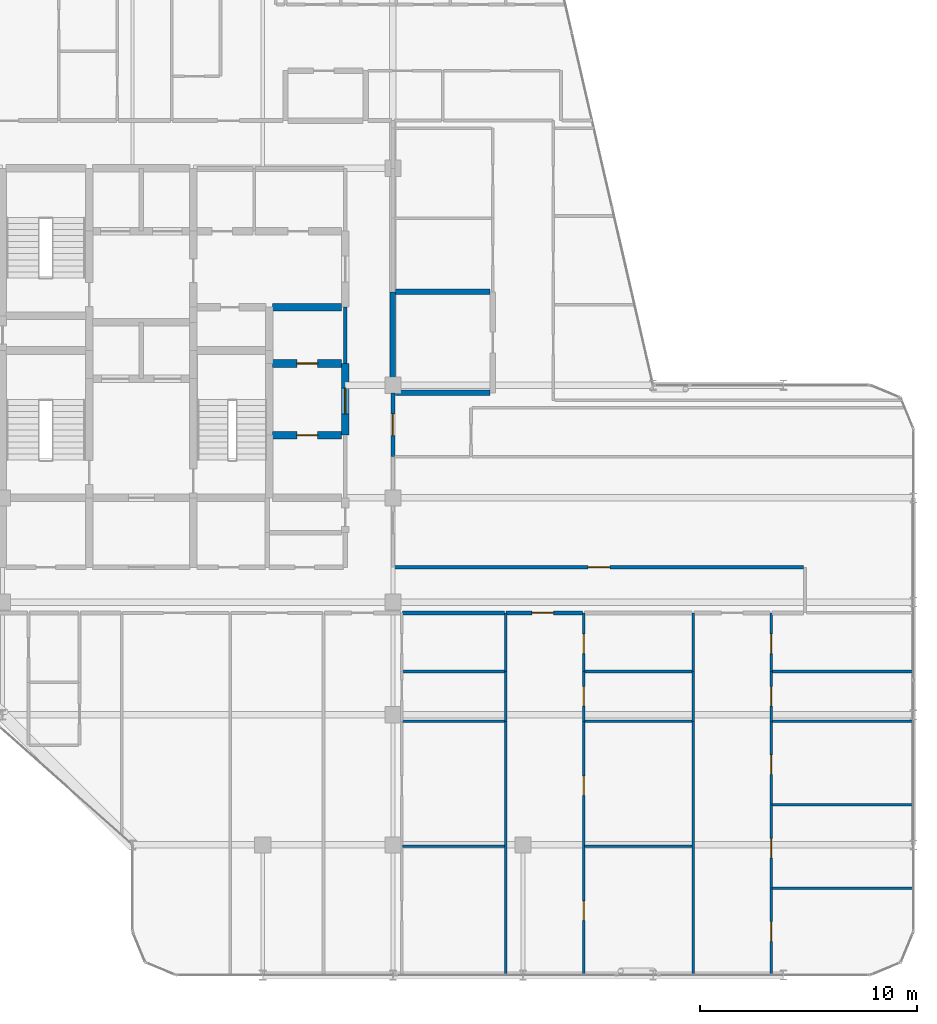
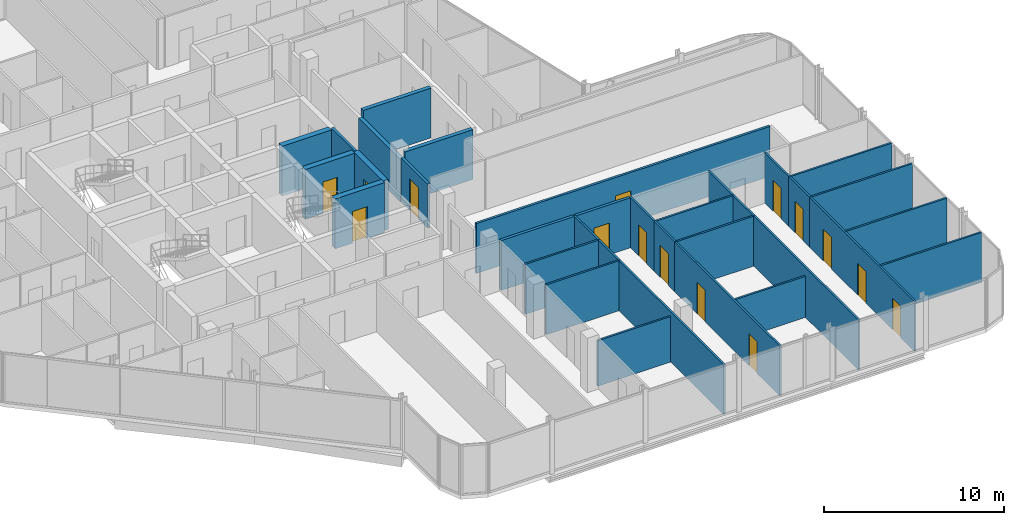
# One storey, part 25 of 29: 34 walls, 15 doors, 15 openings.
"""IFC4 building model written with IfcOpenShell, lengths in metres."""

from ifc_helpers import new_model, si_unit, direction, frame, frame_2d, origin, place, context, subcontext, project, spatial, rectangle, extrude, material, layer, layer_set, type_object, element, fill, save


model = new_model("IFC4")

# Units and contexts
model_context = context("Model", 3, precision=1e-05, world=origin(), true_north=direction((0.0, 1.0)))
body_context = subcontext(model_context, "Body", "Model", "MODEL_VIEW")
ifc_project = project(units=[si_unit("LENGTHUNIT", "METRE"), si_unit("AREAUNIT", "SQUARE_METRE"), si_unit("VOLUMEUNIT", "CUBIC_METRE"), si_unit("PLANEANGLEUNIT", "RADIAN"), si_unit("MASSUNIT", "GRAM", prefix="KILO")], contexts=[model_context])

# Site, building, storey
site_placement = place(None, origin())
site = spatial("IfcSite", under=ifc_project, at=site_placement, CompositionType="ELEMENT")
building_placement = place(site_placement, origin())
building = spatial("IfcBuilding", under=site, at=building_placement, Name="Keshet Zoharim Tower", CompositionType="ELEMENT")
storey_placement = place(building_placement, frame((0.0, 0.0, 230.199951171875)))
storey = spatial("IfcBuildingStorey", under=building, at=storey_placement, Name="L57", CompositionType="ELEMENT", Elevation=230.199951171875)

# Wall
ifc_material_1 = material(Name="Gypsum Plasterboard", Category="gypsum")
ifc_layer_1 = layer(ifc_material_1, 0.14990234375)
ifc_layer_set_1 = layer_set([ifc_layer_1], Name="Gypsum Plasterboard")
wall_type_1 = type_object("IfcWallType", Name="WL-CLIN-150", PredefinedType="STANDARD", material=ifc_layer_set_1)
wall_1_placement = place(storey_placement, frame((30.800048828125, 28.89990234375, 0.0), z_axis=(0.0, 0.0, 1.0), x_axis=(0.0, 1.0, 0.0)))
element("IfcWall", 1, at=wall_1_placement, inside=storey, type_object=wall_type_1, Name="L57 Interior Wall 060", PredefinedType="STANDARD", context=body_context, shape_type="SweptSolid", body=[
    extrude(rectangle(XDim=2.60009765625, YDim=0.14990234375, at=frame_2d((1.300048828125, 0.0))), origin(), (0.0, 0.0, 1.0), 3.39013671875),
])

# Wall, opening, door
wall_2_placement = place(storey_placement, frame((33.070068359375, 19.5, 0.0), z_axis=(0.0, 0.0, 1.0), x_axis=(1.0, 0.0, 0.0)))
wall_2 = element("IfcWall", 2, at=wall_2_placement, inside=storey, type_object=wall_type_1, Name="L57 Interior Wall 127", PredefinedType="STANDARD", context=body_context, shape_type="SweptSolid", body=[
    extrude(rectangle(XDim=18.869873046875, YDim=0.14990234375, at=frame_2d((9.43505859375, 0.0))), origin(), (0.0, 0.0, 1.0), 3.39013671875),
])
opening_1_placement = place(wall_2_placement, frame((8.93505859375, 0.0, 0.0)))
opening_1 = element("IfcOpeningElement", 3, at=opening_1_placement, cuts=wall_2, Name="Opening D-F310", PredefinedType="OPENING", context=body_context, shape_type="SweptSolid", body=[
    extrude(rectangle(XDim=1.0, YDim=2.14990234375, at=frame_2d((0.5, 1.074951171875))), frame((0.0, 0.0849609375, 0.0), z_axis=(0.0, -1.0, 0.0), x_axis=(1.0, 0.0, 0.0)), (0.0, 0.0, 1.0), 0.169921875),
])
ifc_material_2 = material(Name="Hardwood Timber", Category="wood")
door_type_1 = type_object("IfcDoorType", Name="DR-FD30-100", OperationType="NOTDEFINED", PredefinedType="DOOR", material=ifc_material_2)
door_1_placement = place(opening_1_placement, origin())
door_1 = element("IfcDoor", 4, at=door_1_placement, inside=storey, type_object=door_type_1, Name="L57 South East Residents Services Suite Door 1", OperationType="SINGLE_SWING_RIGHT", OverallHeight=2.14990234375, OverallWidth=1.0, PredefinedType="DOOR", context=body_context, shape_type="SweptSolid", body=[
    extrude(rectangle(XDim=1.0, YDim=2.14990234375, at=frame_2d((0.5, 1.074951171875))), frame((0.0, 0.02490234375, 0.0), z_axis=(0.0, -1.0, 0.0), x_axis=(1.0, 0.0, 0.0)), (0.0, 0.0, 1.0), 0.050048828125),
])
fill(opening_1, door_1)

ifc_material_3 = material(Name="Concrete C60/75", Category="concrete")
ifc_layer_2 = layer(ifc_material_3, 0.35009765625)
ifc_layer_set_2 = layer_set([ifc_layer_2], Name="Concrete C60/75")
wall_type_2 = type_object("IfcWallType", Name="WL-CORE-350", PredefinedType="SHEAR", material=ifc_layer_set_2)
wall_3_placement = place(storey_placement, frame((30.800048828125, 25.60009765625, 0.0), z_axis=(0.0, 0.0, 1.0), x_axis=(0.0, 1.0, 0.0)))
wall_3 = element("IfcWall", 5, at=wall_3_placement, inside=storey, type_object=wall_type_2, Name="L57 Core Shear Wall 059", PredefinedType="SHEAR", context=body_context, shape_type="SweptSolid", body=[
    extrude(rectangle(XDim=3.2998046875, YDim=0.35009765625, at=frame_2d((1.64990234375, 0.0))), origin(), (0.0, 0.0, 1.0), 3.39013671875),
])
opening_2_placement = place(wall_3_placement, frame((0.97802734375, 0.0, 0.0)))
opening_2 = element("IfcOpeningElement", 6, at=opening_2_placement, cuts=wall_3, Name="Opening D-F612", PredefinedType="OPENING", context=body_context, shape_type="SweptSolid", body=[
    extrude(rectangle(XDim=1.199951171875, YDim=2.199951171875, at=frame_2d((0.60009765625, 1.10009765625))), frame((0.0, 0.18505859375, 0.0), z_axis=(0.0, -1.0, 0.0), x_axis=(1.0, 0.0, 0.0)), (0.0, 0.0, 1.0), 0.3701171875),
])
door_type_2 = type_object("IfcDoorType", Name="DR-FD60-120", OperationType="NOTDEFINED", PredefinedType="DOOR", material=ifc_material_2)
door_2_placement = place(opening_2_placement, origin())
door_2 = element("IfcDoor", 7, at=door_2_placement, inside=storey, type_object=door_type_2, Name="L57 East Lift Lobby Fire Door", OperationType="SINGLE_SWING_RIGHT", OverallHeight=2.199951171875, OverallWidth=1.199951171875, PredefinedType="DOOR", context=body_context, shape_type="SweptSolid", body=[
    extrude(rectangle(XDim=1.199951171875, YDim=2.199951171875, at=frame_2d((0.60009765625, 1.10009765625))), frame((0.0, 0.02490234375, 0.0), z_axis=(0.0, -1.0, 0.0), x_axis=(1.0, 0.0, 0.0)), (0.0, 0.0, 1.0), 0.050048828125),
])
fill(opening_2, door_2)

wall_4_placement = place(storey_placement, frame((27.4599609375, 25.60009765625, 0.0), z_axis=(0.0, 0.0, 1.0), x_axis=(1.0, 0.0, 0.0)))
wall_4 = element("IfcWall", 8, at=wall_4_placement, inside=storey, type_object=wall_type_2, Name="L57 Core Shear Wall 141", PredefinedType="SHEAR", context=body_context, shape_type="SweptSolid", body=[
    extrude(rectangle(XDim=3.179931640625, YDim=0.35009765625, at=frame_2d((1.58984375, 0.0))), origin(), (0.0, 0.0, 1.0), 3.39013671875),
])
opening_3_placement = place(wall_4_placement, frame((1.114990234375, 0.0, 0.0)))
opening_3 = element("IfcOpeningElement", 9, at=opening_3_placement, cuts=wall_4, Name="Opening D-F695", PredefinedType="OPENING", context=body_context, shape_type="SweptSolid", body=[
    extrude(rectangle(XDim=0.949951171875, YDim=2.14990234375, at=frame_2d((0.47509765625, 1.074951171875))), frame((0.0, 0.18505859375, 0.0), z_axis=(0.0, -1.0, 0.0), x_axis=(1.0, 0.0, 0.0)), (0.0, 0.0, 1.0), 0.3701171875),
])
door_type_3 = type_object("IfcDoorType", Name="DR-FD60-095", OperationType="NOTDEFINED", PredefinedType="DOOR", material=ifc_material_2)
door_3_placement = place(opening_3_placement, origin())
door_3 = element("IfcDoor", 10, at=door_3_placement, inside=storey, type_object=door_type_3, Name="L57 Study Alcove Door", OperationType="SINGLE_SWING_LEFT", OverallHeight=2.14990234375, OverallWidth=0.949951171875, PredefinedType="DOOR", context=body_context, shape_type="SweptSolid", body=[
    extrude(rectangle(XDim=0.949951171875, YDim=2.14990234375, at=frame_2d((0.47509765625, 1.074951171875))), frame((0.0, 0.02490234375, 0.0), z_axis=(0.0, -1.0, 0.0), x_axis=(1.0, 0.0, 0.0)), (0.0, 0.0, 1.0), 0.050048828125),
])
fill(opening_3, door_3)

wall_5_placement = place(storey_placement, frame((27.4599609375, 28.89990234375, 0.0), z_axis=(0.0, 0.0, 1.0), x_axis=(1.0, 0.0, 0.0)))
wall_5 = element("IfcWall", 11, at=wall_5_placement, inside=storey, type_object=wall_type_2, Name="L57 Core Shear Wall 149", PredefinedType="SHEAR", context=body_context, shape_type="SweptSolid", body=[
    extrude(rectangle(XDim=3.179931640625, YDim=0.35009765625, at=frame_2d((1.58984375, 0.0))), origin(), (0.0, 0.0, 1.0), 3.39013671875),
])
opening_4_placement = place(wall_5_placement, frame((1.114990234375, 0.0, 0.0)))
opening_4 = element("IfcOpeningElement", 12, at=opening_4_placement, cuts=wall_5, Name="Opening D-F695", PredefinedType="OPENING", context=body_context, shape_type="SweptSolid", body=[
    extrude(rectangle(XDim=0.949951171875, YDim=2.14990234375, at=frame_2d((0.47509765625, 1.074951171875))), frame((0.0, 0.18505859375, 0.0), z_axis=(0.0, -1.0, 0.0), x_axis=(1.0, 0.0, 0.0)), (0.0, 0.0, 1.0), 0.3701171875),
])
door_4_placement = place(opening_4_placement, frame((0.949951171875, 0.0, 0.0), z_axis=(0.0, 0.0, 1.0), x_axis=(-1.0, 0.0, 0.0)))
door_4 = element("IfcDoor", 13, at=door_4_placement, inside=storey, type_object=door_type_3, Name="L57 Parcel Store Door", OperationType="SINGLE_SWING_LEFT", OverallHeight=2.14990234375, OverallWidth=0.949951171875, PredefinedType="DOOR", context=body_context, shape_type="SweptSolid", body=[
    extrude(rectangle(XDim=0.949951171875, YDim=2.14990234375, at=frame_2d((0.47509765625, 1.074951171875))), frame((0.0, 0.02490234375, 0.0), z_axis=(0.0, -1.0, 0.0), x_axis=(1.0, 0.0, 0.0)), (0.0, 0.0, 1.0), 0.050048828125),
])
fill(opening_4, door_4)

# Wall
wall_6_placement = place(storey_placement, frame((27.4599609375, 31.5, 0.0), z_axis=(0.0, 0.0, 1.0), x_axis=(1.0, 0.0, 0.0)))
element("IfcWall", 14, at=wall_6_placement, inside=storey, type_object=wall_type_2, Name="L57 Core Shear Wall 155", PredefinedType="SHEAR", context=body_context, shape_type="SweptSolid", body=[
    extrude(rectangle(XDim=3.179931640625, YDim=0.35009765625, at=frame_2d((1.58984375, 0.0))), origin(), (0.0, 0.0, 1.0), 3.39013671875),
])

# Wall, opening, door
ifc_layer_3 = layer(ifc_material_1, 0.179931640625)
ifc_layer_set_3 = layer_set([ifc_layer_3], Name="Gypsum Plasterboard")
wall_type_3 = type_object("IfcWallType", Name="WL-CORR-180", PredefinedType="STANDARD", material=ifc_layer_set_3)
wall_7_placement = place(storey_placement, frame((33.0, 24.60009765625, 0.0), z_axis=(0.0, 0.0, 1.0), x_axis=(0.0, 1.0, 0.0)))
wall_7 = element("IfcWall", 15, at=wall_7_placement, inside=storey, type_object=wall_type_3, Name="L57 Interior Wall 065", PredefinedType="STANDARD", context=body_context, shape_type="SweptSolid", body=[
    extrude(rectangle(XDim=2.949951171875, YDim=0.179931640625, at=frame_2d((1.47509765625, 0.0))), origin(), (0.0, 0.0, 1.0), 2.989990234375),
])
opening_5_placement = place(wall_7_placement, frame((0.97509765625, 0.0, 0.0)))
opening_5 = element("IfcOpeningElement", 16, at=opening_5_placement, cuts=wall_7, Name="Opening D-F310", PredefinedType="OPENING", context=body_context, shape_type="SweptSolid", body=[
    extrude(rectangle(XDim=1.0, YDim=2.14990234375, at=frame_2d((0.5, 1.074951171875))), frame((0.0, 0.10009765625, 0.0), z_axis=(0.0, -1.0, 0.0), x_axis=(1.0, 0.0, 0.0)), (0.0, 0.0, 1.0), 0.199951171875),
])
door_5_placement = place(opening_5_placement, origin())
door_5 = element("IfcDoor", 17, at=door_5_placement, inside=storey, type_object=door_type_1, Name="Apartment 5710 Entrance Door", OperationType="SINGLE_SWING_LEFT", OverallHeight=2.14990234375, OverallWidth=1.0, PredefinedType="DOOR", context=body_context, shape_type="SweptSolid", body=[
    extrude(rectangle(XDim=1.0, YDim=2.14990234375, at=frame_2d((0.5, 1.074951171875))), frame((0.0, 0.02490234375, 0.0), z_axis=(0.0, -1.0, 0.0), x_axis=(1.0, 0.0, 0.0)), (0.0, 0.0, 1.0), 0.050048828125),
])
fill(opening_5, door_5)

# Wall
wall_8_placement = place(storey_placement, frame((33.445068359375, 17.39990234375, 0.0), z_axis=(0.0, 0.0, 1.0), x_axis=(1.0, 0.0, 0.0)))
element("IfcWall", 18, at=wall_8_placement, inside=storey, type_object=wall_type_3, Name="L57 Interior Wall 117", PredefinedType="STANDARD", context=body_context, shape_type="SweptSolid", body=[
    extrude(rectangle(XDim=4.68994140625, YDim=0.179931640625, at=frame_2d((2.344970703125, 0.0))), origin(), (0.0, 0.0, 1.0), 3.39013671875),
])

# Wall, opening, door
wall_9_placement = place(storey_placement, frame((38.22509765625, 17.39990234375, 0.0), z_axis=(0.0, 0.0, 1.0), x_axis=(1.0, 0.0, 0.0)))
wall_9 = element("IfcWall", 19, at=wall_9_placement, inside=storey, type_object=wall_type_3, Name="L57 Interior Wall 118", PredefinedType="STANDARD", context=body_context, shape_type="SweptSolid", body=[
    extrude(rectangle(XDim=3.510009765625, YDim=0.179931640625, at=frame_2d((1.7548828125, 0.0))), origin(), (0.0, 0.0, 1.0), 3.39013671875),
])
opening_6_placement = place(wall_9_placement, frame((1.18505859375, 0.0, 0.0)))
opening_6 = element("IfcOpeningElement", 20, at=opening_6_placement, cuts=wall_9, Name="Opening D-F310", PredefinedType="OPENING", context=body_context, shape_type="SweptSolid", body=[
    extrude(rectangle(XDim=1.0, YDim=2.14990234375, at=frame_2d((0.5, 1.074951171875))), frame((0.0, 0.10009765625, 0.0), z_axis=(0.0, -1.0, 0.0), x_axis=(1.0, 0.0, 0.0)), (0.0, 0.0, 1.0), 0.199951171875),
])
door_6_placement = place(opening_6_placement, origin())
door_6 = element("IfcDoor", 21, at=door_6_placement, inside=storey, type_object=door_type_1, Name="Apartment 5703 Entrance Door", OperationType="SINGLE_SWING_RIGHT", OverallHeight=2.14990234375, OverallWidth=1.0, PredefinedType="DOOR", context=body_context, shape_type="SweptSolid", body=[
    extrude(rectangle(XDim=1.0, YDim=2.14990234375, at=frame_2d((0.5, 1.074951171875))), frame((0.0, 0.02490234375, 0.0), z_axis=(0.0, -1.0, 0.0), x_axis=(1.0, 0.0, 0.0)), (0.0, 0.0, 1.0), 0.050048828125),
])
fill(opening_6, door_6)

# Walls
ifc_material_4 = material(Name="Concrete C50/60", Category="concrete")
ifc_layer_4 = layer(ifc_material_4, 0.25)
ifc_layer_set_4 = layer_set([ifc_layer_4], Name="Concrete C50/60")
wall_type_4 = type_object("IfcWallType", Name="WL-MAMAD-250", PredefinedType="STANDARD", material=ifc_layer_set_4)
wall_10_placement = place(storey_placement, frame((33.0, 27.550048828125, 0.0), z_axis=(0.0, 0.0, 1.0), x_axis=(0.0, 1.0, 0.0)))
element("IfcWall", 22, at=wall_10_placement, inside=storey, type_object=wall_type_4, Name="L57 Interior Wall 066", PredefinedType="STANDARD", context=body_context, shape_type="SweptSolid", body=[
    extrude(rectangle(XDim=4.635986328125, YDim=0.25, at=frame_2d((2.31787109375, 0.0))), origin(), (0.0, 0.0, 1.0), 2.89013671875),
])
for number, where, z_axis, x_axis, name in (
    (23, (33.110107421875, 27.550048828125, 0.0), (0.0, 0.0, 1.0), (1.0, 0.0, 0.0), "L57 Interior Wall 144"),
    (24, (33.110107421875, 32.199951171875, 0.0), (0.0, 0.0, 1.0), (1.0, 0.0, 0.0), "L57 Interior Wall 157"),
):
    element("IfcWall", number, at=place(storey_placement, frame(where, z_axis=z_axis, x_axis=x_axis)), inside=storey, type_object=wall_type_4, Name=name, PredefinedType="STANDARD", context=body_context, shape_type="SweptSolid", body=[
        extrude(rectangle(XDim=4.35986328125, YDim=0.25, at=frame_2d((2.179931640625, 0.0))), origin(), (0.0, 0.0, 1.0), 3.39013671875),
    ])
ifc_layer_5 = layer(ifc_material_1, 0.1201171875)
ifc_layer_set_5 = layer_set([ifc_layer_5], Name="Gypsum Plasterboard")
wall_type_5 = type_object("IfcWallType", Name="WL-PART-120", PredefinedType="PARTITIONING", material=ifc_layer_set_5)
wall_11_placement = place(storey_placement, frame((38.199951171875, 0.7099609375, 0.0), z_axis=(0.0, 0.0, 1.0), x_axis=(0.0, 1.0, 0.0)))
element("IfcWall", 25, at=wall_11_placement, inside=storey, type_object=wall_type_5, Name="L57 Interior Wall 080", PredefinedType="PARTITIONING", context=body_context, shape_type="SweptSolid", body=[
    extrude(rectangle(XDim=11.68994140625, YDim=0.1201171875, at=frame_2d((5.844970703125, 0.0))), origin(), (0.0, 0.0, 1.0), 3.39013671875),
])
wall_12_placement = place(storey_placement, frame((38.199951171875, 12.39990234375, 0.0), z_axis=(0.0, 0.0, 1.0), x_axis=(0.0, 1.0, 0.0)))
element("IfcWall", 26, at=wall_12_placement, inside=storey, type_object=wall_type_5, Name="L57 Interior Wall 081", PredefinedType="PARTITIONING", context=body_context, shape_type="SweptSolid", body=[
    extrude(rectangle(XDim=2.300048828125, YDim=0.1201171875, at=frame_2d((1.14990234375, 0.0))), origin(), (0.0, 0.0, 1.0), 3.39013671875),
])

# Wall, openings, doors
wall_13_placement = place(storey_placement, frame((41.800048828125, 0.7099609375, 0.0), z_axis=(0.0, 0.0, 1.0), x_axis=(0.0, 1.0, 0.0)))
wall_13 = element("IfcWall", 27, at=wall_13_placement, inside=storey, type_object=wall_type_5, Name="L57 Interior Wall 088", PredefinedType="PARTITIONING", context=body_context, shape_type="SweptSolid", body=[
    extrude(rectangle(XDim=11.68994140625, YDim=0.1201171875, at=frame_2d((5.844970703125, 0.0))), origin(), (0.0, 0.0, 1.0), 3.39013671875),
])
opening_7_placement = place(wall_13_placement, frame((2.513916015625, 0.0, 0.0)))
opening_7 = element("IfcOpeningElement", 28, at=opening_7_placement, cuts=wall_13, Name="Opening D-IN90", PredefinedType="OPENING", context=body_context, shape_type="SweptSolid", body=[
    extrude(rectangle(XDim=0.89990234375, YDim=2.14990234375, at=frame_2d((0.449951171875, 1.074951171875))), frame((0.0, 0.070068359375, 0.0), z_axis=(0.0, -1.0, 0.0), x_axis=(1.0, 0.0, 0.0)), (0.0, 0.0, 1.0), 0.14013671875),
])
opening_8_placement = place(wall_13_placement, frame((8.280029296875, 0.0, 0.0)))
opening_8 = element("IfcOpeningElement", 29, at=opening_8_placement, cuts=wall_13, Name="Opening D-IN90", PredefinedType="OPENING", context=body_context, shape_type="SweptSolid", body=[
    extrude(rectangle(XDim=0.89990234375, YDim=2.14990234375, at=frame_2d((0.449951171875, 1.074951171875))), frame((0.0, 0.070068359375, 0.0), z_axis=(0.0, -1.0, 0.0), x_axis=(1.0, 0.0, 0.0)), (0.0, 0.0, 1.0), 0.14013671875),
])
door_type_4 = type_object("IfcDoorType", Name="DR-INT-090", OperationType="NOTDEFINED", PredefinedType="DOOR", material=ifc_material_2)
door_7_placement = place(opening_7_placement, origin())
door_7 = element("IfcDoor", 30, at=door_7_placement, inside=storey, type_object=door_type_4, Name="Apartment 5703 Bedroom 1 Door", OperationType="SINGLE_SWING_LEFT", OverallHeight=2.14990234375, OverallWidth=0.89990234375, PredefinedType="DOOR", context=body_context, shape_type="SweptSolid", body=[
    extrude(rectangle(XDim=0.89990234375, YDim=2.14990234375, at=frame_2d((0.449951171875, 1.074951171875))), frame((0.0, 0.02490234375, 0.0), z_axis=(0.0, -1.0, 0.0), x_axis=(1.0, 0.0, 0.0)), (0.0, 0.0, 1.0), 0.050048828125),
])
fill(opening_7, door_7)
door_8_placement = place(opening_8_placement, origin())
door_8 = element("IfcDoor", 31, at=door_8_placement, inside=storey, type_object=door_type_4, Name="Apartment 5703 Bedroom 2 Door", OperationType="SINGLE_SWING_RIGHT", OverallHeight=2.14990234375, OverallWidth=0.89990234375, PredefinedType="DOOR", context=body_context, shape_type="SweptSolid", body=[
    extrude(rectangle(XDim=0.89990234375, YDim=2.14990234375, at=frame_2d((0.449951171875, 1.074951171875))), frame((0.0, 0.02490234375, 0.0), z_axis=(0.0, -1.0, 0.0), x_axis=(1.0, 0.0, 0.0)), (0.0, 0.0, 1.0), 0.050048828125),
])
fill(opening_8, door_8)

# Wall, opening, door
wall_14_placement = place(storey_placement, frame((41.800048828125, 12.39990234375, 0.0), z_axis=(0.0, 0.0, 1.0), x_axis=(0.0, 1.0, 0.0)))
wall_14 = element("IfcWall", 32, at=wall_14_placement, inside=storey, type_object=wall_type_5, Name="L57 Interior Wall 089", PredefinedType="PARTITIONING", context=body_context, shape_type="SweptSolid", body=[
    extrude(rectangle(XDim=2.300048828125, YDim=0.1201171875, at=frame_2d((1.14990234375, 0.0))), origin(), (0.0, 0.0, 1.0), 3.39013671875),
])
opening_9_placement = place(wall_14_placement, frame((0.699951171875, 0.0, 0.0)))
opening_9 = element("IfcOpeningElement", 33, at=opening_9_placement, cuts=wall_14, Name="Opening D-IN90", PredefinedType="OPENING", context=body_context, shape_type="SweptSolid", body=[
    extrude(rectangle(XDim=0.89990234375, YDim=2.14990234375, at=frame_2d((0.449951171875, 1.074951171875))), frame((0.0, 0.070068359375, 0.0), z_axis=(0.0, -1.0, 0.0), x_axis=(1.0, 0.0, 0.0)), (0.0, 0.0, 1.0), 0.14013671875),
])
door_9_placement = place(opening_9_placement, origin())
door_9 = element("IfcDoor", 34, at=door_9_placement, inside=storey, type_object=door_type_4, Name="Apartment 5703 Kitchen Door", OperationType="SINGLE_SWING_LEFT", OverallHeight=2.14990234375, OverallWidth=0.89990234375, PredefinedType="DOOR", context=body_context, shape_type="SweptSolid", body=[
    extrude(rectangle(XDim=0.89990234375, YDim=2.14990234375, at=frame_2d((0.449951171875, 1.074951171875))), frame((0.0, 0.02490234375, 0.0), z_axis=(0.0, -1.0, 0.0), x_axis=(1.0, 0.0, 0.0)), (0.0, 0.0, 1.0), 0.050048828125),
])
fill(opening_9, door_9)

# Walls
wall_15_placement = place(storey_placement, frame((46.85009765625, 0.7099609375, 0.0), z_axis=(0.0, 0.0, 1.0), x_axis=(0.0, 1.0, 0.0)))
element("IfcWall", 35, at=wall_15_placement, inside=storey, type_object=wall_type_5, Name="L57 Interior Wall 091", PredefinedType="PARTITIONING", context=body_context, shape_type="SweptSolid", body=[
    extrude(rectangle(XDim=11.68994140625, YDim=0.1201171875, at=frame_2d((5.844970703125, 0.0))), origin(), (0.0, 0.0, 1.0), 3.39013671875),
])
wall_16_placement = place(storey_placement, frame((46.85009765625, 12.39990234375, 0.0), z_axis=(0.0, 0.0, 1.0), x_axis=(0.0, 1.0, 0.0)))
element("IfcWall", 36, at=wall_16_placement, inside=storey, type_object=wall_type_5, Name="L57 Interior Wall 092", PredefinedType="PARTITIONING", context=body_context, shape_type="SweptSolid", body=[
    extrude(rectangle(XDim=2.300048828125, YDim=0.1201171875, at=frame_2d((1.14990234375, 0.0))), origin(), (0.0, 0.0, 1.0), 3.39013671875),
])

# Wall, openings, doors
wall_17_placement = place(storey_placement, frame((50.449951171875, 0.7099609375, 0.0), z_axis=(0.0, 0.0, 1.0), x_axis=(0.0, 1.0, 0.0)))
wall_17 = element("IfcWall", 37, at=wall_17_placement, inside=storey, type_object=wall_type_5, Name="L57 Interior Wall 094", PredefinedType="PARTITIONING", context=body_context, shape_type="SweptSolid", body=[
    extrude(rectangle(XDim=11.68994140625, YDim=0.1201171875, at=frame_2d((5.844970703125, 0.0))), origin(), (0.0, 0.0, 1.0), 3.39013671875),
])
opening_10_placement = place(wall_17_placement, frame((1.551025390625, 0.0, 0.0)))
opening_10 = element("IfcOpeningElement", 38, at=opening_10_placement, cuts=wall_17, Name="Opening D-IN90", PredefinedType="OPENING", context=body_context, shape_type="SweptSolid", body=[
    extrude(rectangle(XDim=0.89990234375, YDim=2.14990234375, at=frame_2d((0.449951171875, 1.074951171875))), frame((0.0, 0.070068359375, 0.0), z_axis=(0.0, -1.0, 0.0), x_axis=(1.0, 0.0, 0.0)), (0.0, 0.0, 1.0), 0.14013671875),
])
opening_11_placement = place(wall_17_placement, frame((5.39794921875, 0.0, 0.0)))
opening_11 = element("IfcOpeningElement", 39, at=opening_11_placement, cuts=wall_17, Name="Opening D-IN90", PredefinedType="OPENING", context=body_context, shape_type="SweptSolid", body=[
    extrude(rectangle(XDim=0.89990234375, YDim=2.14990234375, at=frame_2d((0.449951171875, 1.074951171875))), frame((0.0, 0.070068359375, 0.0), z_axis=(0.0, -1.0, 0.0), x_axis=(1.0, 0.0, 0.0)), (0.0, 0.0, 1.0), 0.14013671875),
])
opening_12_placement = place(wall_17_placement, frame((9.241943359375, 0.0, 0.0)))
opening_12 = element("IfcOpeningElement", 40, at=opening_12_placement, cuts=wall_17, Name="Opening D-IN90", PredefinedType="OPENING", context=body_context, shape_type="SweptSolid", body=[
    extrude(rectangle(XDim=0.89990234375, YDim=2.14990234375, at=frame_2d((0.449951171875, 1.074951171875))), frame((0.0, 0.070068359375, 0.0), z_axis=(0.0, -1.0, 0.0), x_axis=(1.0, 0.0, 0.0)), (0.0, 0.0, 1.0), 0.14013671875),
])
door_10_placement = place(opening_10_placement, origin())
door_10 = element("IfcDoor", 41, at=door_10_placement, inside=storey, type_object=door_type_4, Name="Apartment 5704 Bedroom 1 Door", OperationType="SINGLE_SWING_LEFT", OverallHeight=2.14990234375, OverallWidth=0.89990234375, PredefinedType="DOOR", context=body_context, shape_type="SweptSolid", body=[
    extrude(rectangle(XDim=0.89990234375, YDim=2.14990234375, at=frame_2d((0.449951171875, 1.074951171875))), frame((0.0, 0.02490234375, 0.0), z_axis=(0.0, -1.0, 0.0), x_axis=(1.0, 0.0, 0.0)), (0.0, 0.0, 1.0), 0.050048828125),
])
fill(opening_10, door_10)
door_11_placement = place(opening_11_placement, origin())
door_11 = element("IfcDoor", 42, at=door_11_placement, inside=storey, type_object=door_type_4, Name="Apartment 5704 Bedroom 2 Door", OperationType="SINGLE_SWING_RIGHT", OverallHeight=2.14990234375, OverallWidth=0.89990234375, PredefinedType="DOOR", context=body_context, shape_type="SweptSolid", body=[
    extrude(rectangle(XDim=0.89990234375, YDim=2.14990234375, at=frame_2d((0.449951171875, 1.074951171875))), frame((0.0, 0.02490234375, 0.0), z_axis=(0.0, -1.0, 0.0), x_axis=(1.0, 0.0, 0.0)), (0.0, 0.0, 1.0), 0.050048828125),
])
fill(opening_11, door_11)
door_12_placement = place(opening_12_placement, origin())
door_12 = element("IfcDoor", 43, at=door_12_placement, inside=storey, type_object=door_type_4, Name="Apartment 5704 Bedroom 3 Door", OperationType="SINGLE_SWING_LEFT", OverallHeight=2.14990234375, OverallWidth=0.89990234375, PredefinedType="DOOR", context=body_context, shape_type="SweptSolid", body=[
    extrude(rectangle(XDim=0.89990234375, YDim=2.14990234375, at=frame_2d((0.449951171875, 1.074951171875))), frame((0.0, 0.02490234375, 0.0), z_axis=(0.0, -1.0, 0.0), x_axis=(1.0, 0.0, 0.0)), (0.0, 0.0, 1.0), 0.050048828125),
])
fill(opening_12, door_12)

# Wall, opening, door
wall_18_placement = place(storey_placement, frame((50.449951171875, 12.39990234375, 0.0), z_axis=(0.0, 0.0, 1.0), x_axis=(0.0, 1.0, 0.0)))
wall_18 = element("IfcWall", 44, at=wall_18_placement, inside=storey, type_object=wall_type_5, Name="L57 Interior Wall 095", PredefinedType="PARTITIONING", context=body_context, shape_type="SweptSolid", body=[
    extrude(rectangle(XDim=2.300048828125, YDim=0.1201171875, at=frame_2d((1.14990234375, 0.0))), origin(), (0.0, 0.0, 1.0), 3.39013671875),
])
opening_13_placement = place(wall_18_placement, frame((0.699951171875, 0.0, 0.0)))
opening_13 = element("IfcOpeningElement", 45, at=opening_13_placement, cuts=wall_18, Name="Opening D-IN90", PredefinedType="OPENING", context=body_context, shape_type="SweptSolid", body=[
    extrude(rectangle(XDim=0.89990234375, YDim=2.14990234375, at=frame_2d((0.449951171875, 1.074951171875))), frame((0.0, 0.070068359375, 0.0), z_axis=(0.0, -1.0, 0.0), x_axis=(1.0, 0.0, 0.0)), (0.0, 0.0, 1.0), 0.14013671875),
])
door_13_placement = place(opening_13_placement, origin())
door_13 = element("IfcDoor", 46, at=door_13_placement, inside=storey, type_object=door_type_4, Name="Apartment 5704 Kitchen Door", OperationType="SINGLE_SWING_RIGHT", OverallHeight=2.14990234375, OverallWidth=0.89990234375, PredefinedType="DOOR", context=body_context, shape_type="SweptSolid", body=[
    extrude(rectangle(XDim=0.89990234375, YDim=2.14990234375, at=frame_2d((0.449951171875, 1.074951171875))), frame((0.0, 0.02490234375, 0.0), z_axis=(0.0, -1.0, 0.0), x_axis=(1.0, 0.0, 0.0)), (0.0, 0.0, 1.0), 0.050048828125),
])
fill(opening_13, door_13)

# Walls
wall_19_placement = place(storey_placement, frame((50.485107421875, 4.699951171875, 0.0), z_axis=(0.0, 0.0, 1.0), x_axis=(1.0, 0.0, 0.0)))
element("IfcWall", 47, at=wall_19_placement, inside=storey, type_object=wall_type_5, Name="L57 Interior Wall 098", PredefinedType="PARTITIONING", context=body_context, shape_type="SweptSolid", body=[
    extrude(rectangle(XDim=6.5048828125, YDim=0.1201171875, at=frame_2d((3.25244140625, 0.0))), origin(), (0.0, 0.0, 1.0), 3.39013671875),
])
wall_20_placement = place(storey_placement, frame((33.445068359375, 6.64990234375, 0.0), z_axis=(0.0, 0.0, 1.0), x_axis=(1.0, 0.0, 0.0)))
element("IfcWall", 48, at=wall_20_placement, inside=storey, type_object=wall_type_5, Name="L57 Interior Wall 099", PredefinedType="PARTITIONING", context=body_context, shape_type="SweptSolid", body=[
    extrude(rectangle(XDim=4.68994140625, YDim=0.1201171875, at=frame_2d((2.344970703125, 0.0))), origin(), (0.0, 0.0, 1.0), 3.090087890625),
])
wall_21_placement = place(storey_placement, frame((41.824951171875, 6.64990234375, 0.0), z_axis=(0.0, 0.0, 1.0), x_axis=(1.0, 0.0, 0.0)))
element("IfcWall", 49, at=wall_21_placement, inside=storey, type_object=wall_type_5, Name="L57 Interior Wall 100", PredefinedType="PARTITIONING", context=body_context, shape_type="SweptSolid", body=[
    extrude(rectangle(XDim=4.969970703125, YDim=0.1201171875, at=frame_2d((2.48486328125, 0.0))), origin(), (0.0, 0.0, 1.0), 2.7900390625),
])
wall_22_placement = place(storey_placement, frame((50.485107421875, 8.550048828125, 0.0), z_axis=(0.0, 0.0, 1.0), x_axis=(1.0, 0.0, 0.0)))
element("IfcWall", 50, at=wall_22_placement, inside=storey, type_object=wall_type_5, Name="L57 Interior Wall 101", PredefinedType="PARTITIONING", context=body_context, shape_type="SweptSolid", body=[
    extrude(rectangle(XDim=6.5048828125, YDim=0.1201171875, at=frame_2d((3.25244140625, 0.0))), origin(), (0.0, 0.0, 1.0), 3.39013671875),
])
wall_23_placement = place(storey_placement, frame((33.445068359375, 12.39990234375, 0.0), z_axis=(0.0, 0.0, 1.0), x_axis=(1.0, 0.0, 0.0)))
element("IfcWall", 51, at=wall_23_placement, inside=storey, type_object=wall_type_5, Name="L57 Interior Wall 103", PredefinedType="PARTITIONING", context=body_context, shape_type="SweptSolid", body=[
    extrude(rectangle(XDim=4.68994140625, YDim=0.1201171875, at=frame_2d((2.344970703125, 0.0))), origin(), (0.0, 0.0, 1.0), 3.39013671875),
])
wall_24_placement = place(storey_placement, frame((41.824951171875, 12.39990234375, 0.0), z_axis=(0.0, 0.0, 1.0), x_axis=(1.0, 0.0, 0.0)))
element("IfcWall", 52, at=wall_24_placement, inside=storey, type_object=wall_type_5, Name="L57 Interior Wall 104", PredefinedType="PARTITIONING", context=body_context, shape_type="SweptSolid", body=[
    extrude(rectangle(XDim=4.969970703125, YDim=0.1201171875, at=frame_2d((2.48486328125, 0.0))), origin(), (0.0, 0.0, 1.0), 3.39013671875),
])
wall_25_placement = place(storey_placement, frame((50.485107421875, 12.39990234375, 0.0), z_axis=(0.0, 0.0, 1.0), x_axis=(1.0, 0.0, 0.0)))
element("IfcWall", 53, at=wall_25_placement, inside=storey, type_object=wall_type_5, Name="L57 Interior Wall 105", PredefinedType="PARTITIONING", context=body_context, shape_type="SweptSolid", body=[
    extrude(rectangle(XDim=6.5048828125, YDim=0.1201171875, at=frame_2d((3.25244140625, 0.0))), origin(), (0.0, 0.0, 1.0), 3.39013671875),
])
ifc_layer_6 = layer(ifc_material_1, 0.1201171875)
ifc_layer_set_6 = layer_set([ifc_layer_6], Name="Gypsum Plasterboard")
wall_type_6 = type_object("IfcWallType", Name="WL-WET-120", PredefinedType="PARTITIONING", material=ifc_layer_set_6)
wall_26_placement = place(storey_placement, frame((38.199951171875, 14.699951171875, 0.0), z_axis=(0.0, 0.0, 1.0), x_axis=(0.0, 1.0, 0.0)))
element("IfcWall", 54, at=wall_26_placement, inside=storey, type_object=wall_type_6, Name="L57 Interior Wall 082", PredefinedType="PARTITIONING", context=body_context, shape_type="SweptSolid", body=[
    extrude(rectangle(XDim=2.699951171875, YDim=0.1201171875, at=frame_2d((1.35009765625, 0.0))), origin(), (0.0, 0.0, 1.0), 3.39013671875),
])

# Wall, opening, door
wall_27_placement = place(storey_placement, frame((41.800048828125, 14.699951171875, 0.0), z_axis=(0.0, 0.0, 1.0), x_axis=(0.0, 1.0, 0.0)))
wall_27 = element("IfcWall", 55, at=wall_27_placement, inside=storey, type_object=wall_type_6, Name="L57 Interior Wall 090", PredefinedType="PARTITIONING", context=body_context, shape_type="SweptSolid", body=[
    extrude(rectangle(XDim=2.699951171875, YDim=0.1201171875, at=frame_2d((1.35009765625, 0.0))), origin(), (0.0, 0.0, 1.0), 3.39013671875),
])
opening_14_placement = place(wall_27_placement, frame((0.827880859375, 0.0, 0.0)))
opening_14 = element("IfcOpeningElement", 56, at=opening_14_placement, cuts=wall_27, Name="Opening D-WT90", PredefinedType="OPENING", context=body_context, shape_type="SweptSolid", body=[
    extrude(rectangle(XDim=0.89990234375, YDim=2.10009765625, at=frame_2d((0.449951171875, 1.050048828125))), frame((0.0, 0.070068359375, 0.0), z_axis=(0.0, -1.0, 0.0), x_axis=(1.0, 0.0, 0.0)), (0.0, 0.0, 1.0), 0.14013671875),
])
door_type_5 = type_object("IfcDoorType", Name="DR-WET-090", OperationType="NOTDEFINED", PredefinedType="DOOR", material=ifc_material_2)
door_14_placement = place(opening_14_placement, origin())
door_14 = element("IfcDoor", 57, at=door_14_placement, inside=storey, type_object=door_type_5, Name="Apartment 5703 Bathroom Door", OperationType="SINGLE_SWING_RIGHT", OverallHeight=2.10009765625, OverallWidth=0.89990234375, PredefinedType="DOOR", context=body_context, shape_type="SweptSolid", body=[
    extrude(rectangle(XDim=0.89990234375, YDim=2.10009765625, at=frame_2d((0.449951171875, 1.050048828125))), frame((0.0, 0.02490234375, 0.0), z_axis=(0.0, -1.0, 0.0), x_axis=(1.0, 0.0, 0.0)), (0.0, 0.0, 1.0), 0.050048828125),
])
fill(opening_14, door_14)

# Wall
wall_28_placement = place(storey_placement, frame((46.85009765625, 14.699951171875, 0.0), z_axis=(0.0, 0.0, 1.0), x_axis=(0.0, 1.0, 0.0)))
element("IfcWall", 58, at=wall_28_placement, inside=storey, type_object=wall_type_6, Name="L57 Interior Wall 093", PredefinedType="PARTITIONING", context=body_context, shape_type="SweptSolid", body=[
    extrude(rectangle(XDim=2.699951171875, YDim=0.1201171875, at=frame_2d((1.35009765625, 0.0))), origin(), (0.0, 0.0, 1.0), 3.39013671875),
])

# Wall, opening, door
wall_29_placement = place(storey_placement, frame((50.449951171875, 14.699951171875, 0.0), z_axis=(0.0, 0.0, 1.0), x_axis=(0.0, 1.0, 0.0)))
wall_29 = element("IfcWall", 59, at=wall_29_placement, inside=storey, type_object=wall_type_6, Name="L57 Interior Wall 096", PredefinedType="PARTITIONING", context=body_context, shape_type="SweptSolid", body=[
    extrude(rectangle(XDim=2.699951171875, YDim=0.1201171875, at=frame_2d((1.35009765625, 0.0))), origin(), (0.0, 0.0, 1.0), 3.39013671875),
])
opening_15_placement = place(wall_29_placement, frame((0.827880859375, 0.0, 0.0)))
opening_15 = element("IfcOpeningElement", 60, at=opening_15_placement, cuts=wall_29, Name="Opening D-WT90", PredefinedType="OPENING", context=body_context, shape_type="SweptSolid", body=[
    extrude(rectangle(XDim=0.89990234375, YDim=2.10009765625, at=frame_2d((0.449951171875, 1.050048828125))), frame((0.0, 0.070068359375, 0.0), z_axis=(0.0, -1.0, 0.0), x_axis=(1.0, 0.0, 0.0)), (0.0, 0.0, 1.0), 0.14013671875),
])
door_15_placement = place(opening_15_placement, origin())
door_15 = element("IfcDoor", 61, at=door_15_placement, inside=storey, type_object=door_type_5, Name="Apartment 5704 Bathroom Door", OperationType="SINGLE_SWING_LEFT", OverallHeight=2.10009765625, OverallWidth=0.89990234375, PredefinedType="DOOR", context=body_context, shape_type="SweptSolid", body=[
    extrude(rectangle(XDim=0.89990234375, YDim=2.10009765625, at=frame_2d((0.449951171875, 1.050048828125))), frame((0.0, 0.02490234375, 0.0), z_axis=(0.0, -1.0, 0.0), x_axis=(1.0, 0.0, 0.0)), (0.0, 0.0, 1.0), 0.050048828125),
])
fill(opening_15, door_15)

# Walls
wall_30_placement = place(storey_placement, frame((33.445068359375, 14.699951171875, 0.0), z_axis=(0.0, 0.0, 1.0), x_axis=(1.0, 0.0, 0.0)))
element("IfcWall", 62, at=wall_30_placement, inside=storey, type_object=wall_type_6, Name="L57 Interior Wall 107", PredefinedType="PARTITIONING", context=body_context, shape_type="SweptSolid", body=[
    extrude(rectangle(XDim=4.68994140625, YDim=0.1201171875, at=frame_2d((2.344970703125, 0.0))), origin(), (0.0, 0.0, 1.0), 3.39013671875),
])
wall_31_placement = place(storey_placement, frame((41.824951171875, 14.699951171875, 0.0), z_axis=(0.0, 0.0, 1.0), x_axis=(1.0, 0.0, 0.0)))
element("IfcWall", 63, at=wall_31_placement, inside=storey, type_object=wall_type_6, Name="L57 Interior Wall 108", PredefinedType="PARTITIONING", context=body_context, shape_type="SweptSolid", body=[
    extrude(rectangle(XDim=4.969970703125, YDim=0.1201171875, at=frame_2d((2.48486328125, 0.0))), origin(), (0.0, 0.0, 1.0), 3.39013671875),
])
wall_32_placement = place(storey_placement, frame((50.485107421875, 14.699951171875, 0.0), z_axis=(0.0, 0.0, 1.0), x_axis=(1.0, 0.0, 0.0)))
element("IfcWall", 64, at=wall_32_placement, inside=storey, type_object=wall_type_6, Name="L57 Interior Wall 109", PredefinedType="PARTITIONING", context=body_context, shape_type="SweptSolid", body=[
    extrude(rectangle(XDim=6.5048828125, YDim=0.1201171875, at=frame_2d((3.25244140625, 0.0))), origin(), (0.0, 0.0, 1.0), 3.39013671875),
])

save(model, "model.ifc")
